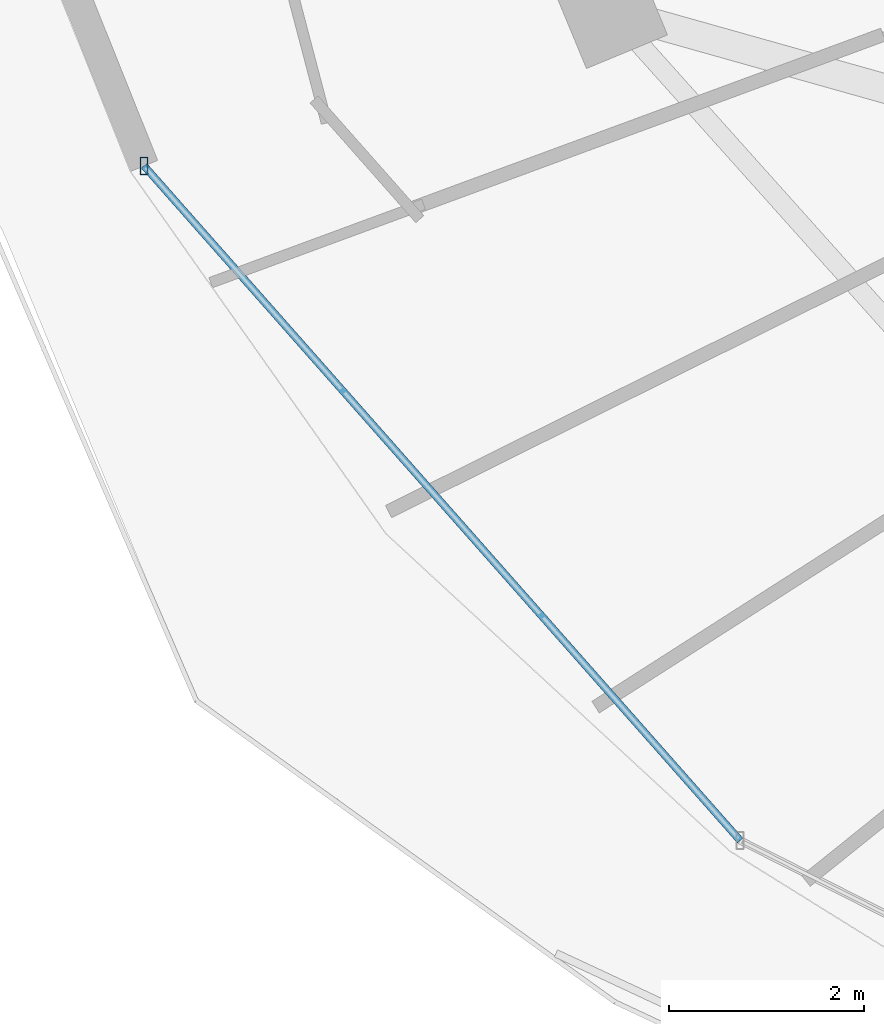
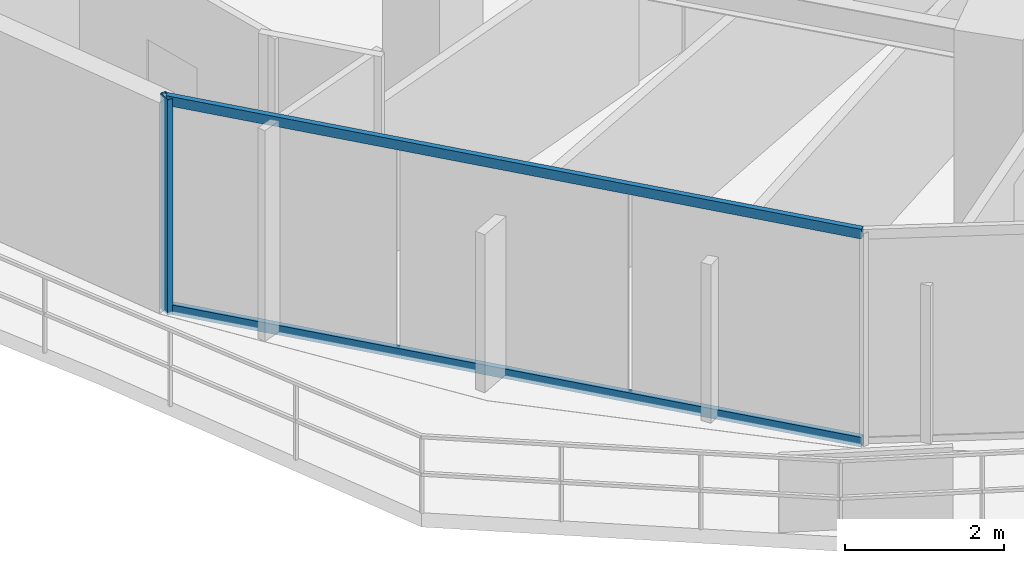
# One storey, part 3 of 33: 3 members, 1 element without a shape of its own.
"""IFC4 building model written with IfcOpenShell, lengths in metres."""

from ifc_helpers import new_model, si_unit, direction, frame, origin, origin_2d, place, context, subcontext, project, spatial, hollow_rectangle, extrude, material, material_profile, profile_set, type_object, element, aggregate, save


model = new_model("IFC4")

# Units and contexts
model_context = context("Model", 3, precision=1e-05, world=origin(), true_north=direction((0.0, 1.0)))
body_context = subcontext(model_context, "Body", "Model", "MODEL_VIEW")
ifc_project = project(units=[si_unit("LENGTHUNIT", "METRE"), si_unit("AREAUNIT", "SQUARE_METRE"), si_unit("VOLUMEUNIT", "CUBIC_METRE"), si_unit("PLANEANGLEUNIT", "RADIAN"), si_unit("MASSUNIT", "GRAM", prefix="KILO")], contexts=[model_context])

# Site, building, storey
site_placement = place(None, origin())
site = spatial("IfcSite", under=ifc_project, at=site_placement, CompositionType="ELEMENT")
building_placement = place(site_placement, origin())
building = spatial("IfcBuilding", under=site, at=building_placement, Name="Vorneva Point Tower", CompositionType="ELEMENT")
storey_placement = place(building_placement, frame((0.0, 0.0, 179.10009765625)))
storey = spatial("IfcBuildingStorey", under=building, at=storey_placement, Name="L48", CompositionType="ELEMENT", Elevation=179.10009765625)

# Curtain wall, members
ifc_material = material(Name="Pale anodised aluminium", Category="aluminium")
curtain_wall_type = type_object("IfcCurtainWallType", Name="CW-RES-SYS", PredefinedType="NOTDEFINED", material=ifc_material)
curtain_wall_placement = place(storey_placement, origin())
curtain_wall = element("IfcCurtainWall", 1, at=curtain_wall_placement, inside=storey, type_object=curtain_wall_type, Name="L48 Unitised Curtain Wall CW-L48-R03", PredefinedType="NOTDEFINED")
ifc_material_profile_1 = material_profile(ifc_material, hollow_rectangle(XDim=0.074951171875, YDim=0.179931640625, WallThickness=0.00390625, at=origin_2d()), Name="AL-MUL 180x75x4")
ifc_profile_set_1 = profile_set([ifc_material_profile_1], Name="Pale anodised aluminium")
member_type_1 = type_object("IfcMemberType", Name="CW-MUL-180", PredefinedType="MULLION", material=ifc_profile_set_1)
member_1_placement = place(storey_placement, frame((11.9189453125, 17.82958984375, -0.0400390625), z_axis=(0.0, 0.0, 1.0), x_axis=(1.0, 0.0, 0.0)))
member_1 = element("IfcMember", 2, at=member_1_placement, type_object=member_type_1, Name="CW-L48-R03 Mullion 01", PredefinedType="MULLION", context=body_context, shape_type="SweptSolid", body=[
    extrude(hollow_rectangle(XDim=0.074951171875, YDim=0.179931640625, WallThickness=0.00390625, at=origin_2d()), origin(), (0.0, 0.0, 1.0), 3.31005859375),
])
ifc_material_profile_2 = material_profile(ifc_material, hollow_rectangle(XDim=0.074951171875, YDim=0.14990234375, WallThickness=0.00390625, at=origin_2d()), Name="AL-TRN 150x75x4")
ifc_profile_set_2 = profile_set([ifc_material_profile_2], Name="Pale anodised aluminium")
member_type_2 = type_object("IfcMemberType", Name="CW-TRN-150", PredefinedType="USERDEFINED", material=ifc_profile_set_2)
member_2_placement = place(storey_placement, frame((11.9189453125, 17.82958984375, 0.02001953125), z_axis=(0.662106383869, -0.749409858782, 0.0), x_axis=(0.749409858782, 0.662106383869, 0.0)))
member_2 = element("IfcMember", 3, at=member_2_placement, type_object=member_type_2, Name="CW-L48-R03 Transom 01.1", ObjectType="TRANSOM", PredefinedType="USERDEFINED", context=body_context, shape_type="SweptSolid", body=[
    extrude(hollow_rectangle(XDim=0.074951171875, YDim=0.14990234375, WallThickness=0.00390625, at=origin_2d()), origin(), (0.0, 0.0, 1.0), 9.2421875),
])
member_3_placement = place(storey_placement, frame((11.9189453125, 17.82958984375, 3.219970703125), z_axis=(0.662106383869, -0.749409858782, 0.0), x_axis=(0.749409858782, 0.662106383869, 0.0)))
member_3 = element("IfcMember", 4, at=member_3_placement, type_object=member_type_2, Name="CW-L48-R03 Transom 01.2", ObjectType="TRANSOM", PredefinedType="USERDEFINED", context=body_context, shape_type="SweptSolid", body=[
    extrude(hollow_rectangle(XDim=0.074951171875, YDim=0.14990234375, WallThickness=0.00390625, at=origin_2d()), origin(), (0.0, 0.0, 1.0), 9.2421875),
])
aggregate(curtain_wall, [member_1, member_2, member_3])

save(model, "model.ifc")
